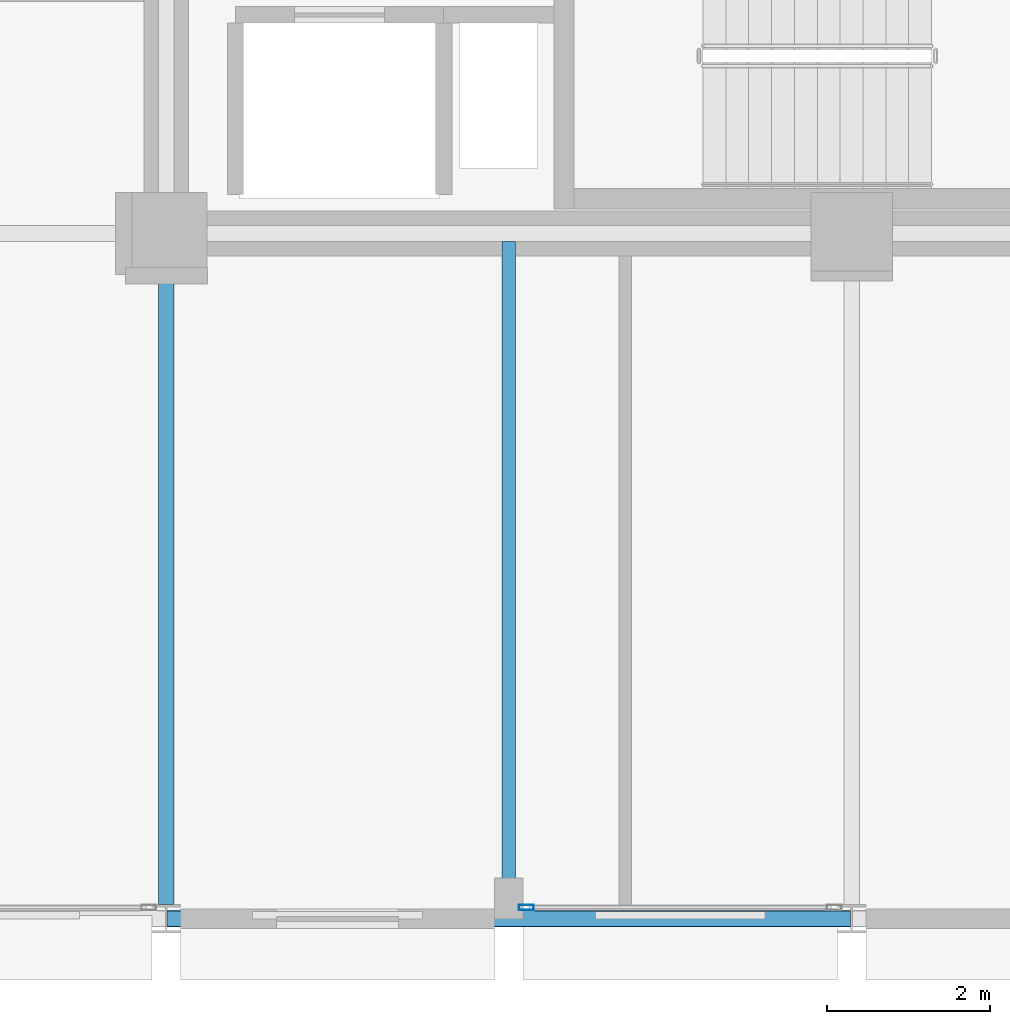
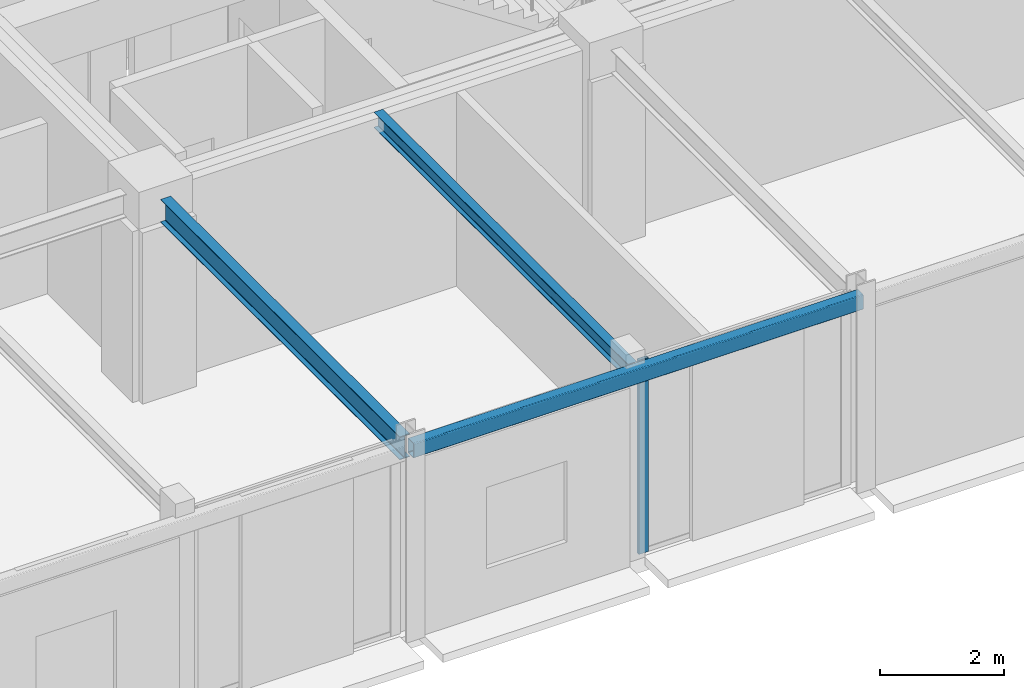
# One storey, part 7 of 29: 3 beams, 1 member, 1 element without a shape of its own.
"""IFC4 building model written with IfcOpenShell, lengths in metres."""

from ifc_helpers import new_model, si_unit, direction, frame, origin, origin_2d, place, context, subcontext, project, spatial, hollow_rectangle, i_section, extrude, material, layer, layer_set, material_profile, profile_set, type_object, element, aggregate, save


model = new_model("IFC4")

# Units and contexts
model_context = context("Model", 3, precision=1e-05, world=origin(), true_north=direction((0.0, 1.0)))
body_context = subcontext(model_context, "Body", "Model", "MODEL_VIEW")
ifc_project = project(units=[si_unit("LENGTHUNIT", "METRE"), si_unit("AREAUNIT", "SQUARE_METRE"), si_unit("VOLUMEUNIT", "CUBIC_METRE"), si_unit("PLANEANGLEUNIT", "RADIAN"), si_unit("MASSUNIT", "GRAM", prefix="KILO")], contexts=[model_context])

# Site, building, storey
site_placement = place(None, origin())
site = spatial("IfcSite", under=ifc_project, at=site_placement, CompositionType="ELEMENT")
building_placement = place(site_placement, origin())
building = spatial("IfcBuilding", under=site, at=building_placement, Name="Nerrivon Quay Data Exchange", CompositionType="ELEMENT")
storey_placement = place(building_placement, frame((0.0, 0.0, 204.199951171875)))
storey = spatial("IfcBuildingStorey", under=building, at=storey_placement, Name="L48", CompositionType="ELEMENT", Elevation=204.199951171875)

# Beams
ifc_material_1 = material(Name="Steel Grade 350", Category="steel")
ifc_material_profile_1 = material_profile(ifc_material_1, i_section(OverallWidth=0.18994140625, OverallDepth=0.4541015625, WebThickness=0.008544921875, FlangeThickness=0.0126953125, FilletRadius=0.011474609375, at=origin_2d()), Name="460UB67.1")
ifc_profile_set_1 = profile_set([ifc_material_profile_1], Name="Steel Grade 350")
beam_type_1 = type_object("IfcBeamType", Name="BM-G6-460UB67", PredefinedType="BEAM", material=ifc_profile_set_1)
beam_1_placement = place(storey_placement, frame((16.800048828125, 0.175048828125, 3.59814453125), z_axis=(0.0, 1.0, 0.0), x_axis=(-1.0, 0.0, 0.0)))
element("IfcBeam", 1, at=beam_1_placement, inside=storey, type_object=beam_type_1, Name="L48 NS Girder X=16.8 (0.0..8.4)", PredefinedType="BEAM", context=body_context, shape_type="SweptSolid", body=[
    extrude(i_section(OverallWidth=0.18994140625, OverallDepth=0.4541015625, WebThickness=0.008544921875, FlangeThickness=0.0126953125, FilletRadius=0.011474609375, at=origin_2d()), origin(), (0.0, 0.0, 1.0), 7.724853515625),
])
ifc_material_profile_2 = material_profile(ifc_material_1, i_section(OverallWidth=0.166015625, OverallDepth=0.306884765625, WebThickness=0.006591796875, FlangeThickness=0.01171875, FilletRadius=0.011474609375, at=origin_2d()), Name="310UB46.2")
ifc_profile_set_2 = profile_set([ifc_material_profile_2], Name="Steel Grade 350")
beam_type_2 = type_object("IfcBeamType", Name="BM-J5-310UB46", PredefinedType="JOIST", material=ifc_profile_set_2)
beam_2_placement = place(storey_placement, frame((21.0, 0.10009765625, 3.671630859375), z_axis=(0.0, 1.0, 0.0), x_axis=(-1.0, 0.0, 0.0)))
element("IfcBeam", 2, at=beam_2_placement, inside=storey, type_object=beam_type_2, Name="L48 Secondary Joist X=21.0 (0.0..8.4)", PredefinedType="JOIST", context=body_context, shape_type="SweptSolid", body=[
    extrude(i_section(OverallWidth=0.166015625, OverallDepth=0.306884765625, WebThickness=0.006591796875, FlangeThickness=0.01171875, FilletRadius=0.011474609375, at=origin_2d()), origin(), (0.0, 0.0, 1.0), 8.204345703125),
])
ifc_material_2 = material(Name="Steel Grade C350L0 (350 MPa)", Category="steel")
ifc_material_profile_3 = material_profile(ifc_material_2, hollow_rectangle(XDim=0.199951171875, YDim=0.300048828125, WallThickness=0.012451171875, InnerFilletRadius=0.018798828125, OuterFilletRadius=0.03125, at=origin_2d()), Name="300x200x12.5RHS")
ifc_profile_set_3 = profile_set([ifc_material_profile_3], Name="Steel Grade C350L0 (350 MPa)")
beam_type_3 = type_object("IfcBeamType", Name="BM-SP3-300x200RHS", PredefinedType="SPANDREL", material=ifc_profile_set_3)
beam_3_placement = place(storey_placement, frame((16.81005859375, 0.0, 3.675048828125), z_axis=(1.0, 0.0, 0.0), x_axis=(0.0, 1.0, 0.0)))
element("IfcBeam", 3, at=beam_3_placement, inside=storey, type_object=beam_type_3, Name="L48 EW Girder Y=0.0 (16.8..25.2)", PredefinedType="SPANDREL", context=body_context, shape_type="SweptSolid", body=[
    extrude(hollow_rectangle(XDim=0.199951171875, YDim=0.300048828125, WallThickness=0.012451171875, InnerFilletRadius=0.018798828125, OuterFilletRadius=0.03125, at=origin_2d()), origin(), (0.0, 0.0, 1.0), 8.3798828125),
])

# Curtain wall, member
ifc_material_3 = material(Name="Anodised aluminium 6063-T6", Category="aluminium")
ifc_layer = layer(ifc_material_3, 0.195068359375)
ifc_layer_set = layer_set([ifc_layer], Name="Anodised aluminium 6063-T6")
curtain_wall_type = type_object("IfcCurtainWallType", Name="CW-SYS-06", PredefinedType="NOTDEFINED", material=ifc_layer_set)
curtain_wall_placement = place(storey_placement, origin())
curtain_wall = element("IfcCurtainWall", 4, at=curtain_wall_placement, inside=storey, type_object=curtain_wall_type, Name="L48 Unitised Curtain Wall 24", PredefinedType="NOTDEFINED")
ifc_material_profile_4 = material_profile(ifc_material_3, hollow_rectangle(XDim=0.06494140625, YDim=0.179931640625, WallThickness=0.00341796875, at=origin_2d()), Name="ALU-MULL-180x65")
ifc_profile_set_4 = profile_set([ifc_material_profile_4], Name="Anodised aluminium 6063-T6")
member_type = type_object("IfcMemberType", Name="CWM-180x65", PredefinedType="MULLION", material=ifc_profile_set_4)
member_placement = place(storey_placement, frame((21.21240234375, 0.139892578125, 0.0), z_axis=(0.0, 0.0, 1.0), x_axis=(0.0, -1.0, 0.0)))
member = element("IfcMember", 5, at=member_placement, type_object=member_type, Name="CW06 mullion 2", PredefinedType="MULLION", context=body_context, shape_type="SweptSolid", body=[
    extrude(hollow_rectangle(XDim=0.06494140625, YDim=0.179931640625, WallThickness=0.00341796875, at=origin_2d()), origin(), (0.0, 0.0, 1.0), 3.824951171875),
])
aggregate(curtain_wall, [member])

save(model, "model.ifc")
